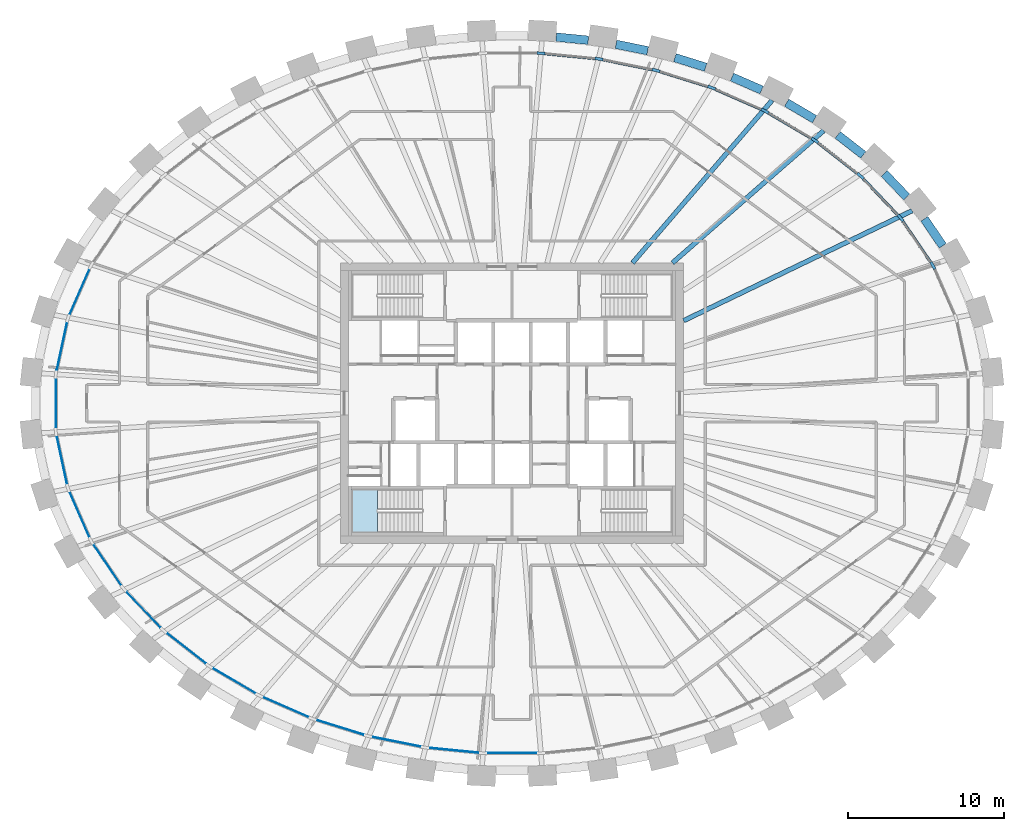
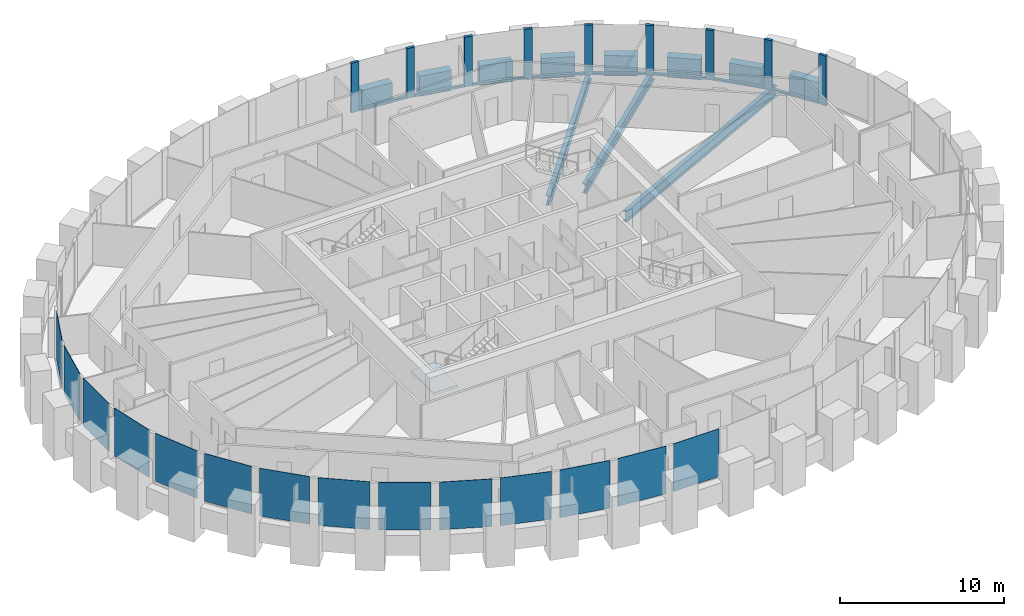
# One storey, part 4 of 12: 17 members, 14 plates, 11 beams, 1 slab, 2 elements without a shape of their own.
"""IFC4 building model written with IfcOpenShell, lengths in metres."""

import ifcopenshell
import ifcopenshell.guid

model = None  # the IFC model being written
_history = None  # IfcOwnerHistory: only IFC2X3 demands one
_inside = {}  # id of a spatial element -> (the spatial element, [elements in it])
_under = {}  # id of a project, library or spatial element -> (it, [spatial elements below it])
_declared = {}  # id of a project -> (the project, [libraries it declares])
_typed = {}  # id of a type object -> (the type object, [elements of that type])
_made_of = {}  # id of a material, layer set ... -> (it, [elements and type objects made of it])


def new_model(schema):
    """Start an empty IFC model of exactly this schema.

    Asked for "IFC4X3", IfcOpenShell would pick the latest addendum, in which some entities
    have other attributes; the version numbers below select the first issue.
    IFC2X3 requires an IfcOwnerHistory on every rooted entity: one is made here for all.
    """
    global model, _history
    if schema == "IFC4X3":
        model = ifcopenshell.file(schema_version=(4, 3, 0, 0))
    else:
        model = ifcopenshell.file(schema=schema)
    _inside.clear()
    _under.clear()
    _declared.clear()
    _typed.clear()
    _made_of.clear()
    _history = None
    if model.schema == "IFC2X3":
        org = make("IfcOrganization", Name="unknown")
        user = make(
            "IfcPersonAndOrganization",
            ThePerson=make("IfcPerson", FamilyName="unknown"),
            TheOrganization=org,
        )
        app = make(
            "IfcApplication",
            ApplicationDeveloper=org,
            Version="unknown",
            ApplicationFullName="unknown",
            ApplicationIdentifier="unknown",
        )
        _history = make(
            "IfcOwnerHistory",
            OwningUser=user,
            OwningApplication=app,
            ChangeAction="ADDED",
            CreationDate=0,
        )
    return model


def make(cls, **values):
    """One entity of the class cls with the attributes given. An attribute that is None is left unset."""
    return model.create_entity(
        cls, **{name: value for name, value in values.items() if value is not None}
    )


def rooted(cls, **values):
    """An entity with a GlobalId (a new one), such as an element, a storey or a relation."""
    return make(cls, GlobalId=ifcopenshell.guid.new(), OwnerHistory=_history, **values)


def si_unit(unit_type, name, prefix=None):
    """IfcSIUnit, for example si_unit("LENGTHUNIT", "METRE", prefix="MILLI")."""
    return make("IfcSIUnit", UnitType=unit_type, Prefix=prefix, Name=name)


def assignment(units):
    """IfcUnitAssignment: the units of a project."""
    return None if units is None else make("IfcUnitAssignment", Units=units)


def point(xyz):
    """IfcCartesianPoint."""
    return None if xyz is None else make("IfcCartesianPoint", Coordinates=xyz)


def direction(xyz):
    """IfcDirection."""
    return None if xyz is None else make("IfcDirection", DirectionRatios=xyz)


def frame(location, z_axis=None, x_axis=None):
    """IfcAxis2Placement3D, a coordinate frame: its origin and axes. An axis left out is left unset."""
    return make(
        "IfcAxis2Placement3D",
        Location=point(location),
        Axis=direction(z_axis),
        RefDirection=direction(x_axis),
    )


def frame_2d(location, x_axis=None):
    """IfcAxis2Placement2D, a coordinate frame in the plane: its origin and x axis."""
    return make(
        "IfcAxis2Placement2D", Location=point(location), RefDirection=direction(x_axis)
    )


def origin():
    """The frame at (0, 0, 0) with its axes left unset."""
    return frame((0.0, 0.0, 0.0))


def origin_2d():
    """The frame at (0, 0) in the plane with its x axis left unset."""
    return frame_2d((0.0, 0.0))


def place(relative_to, where):
    """IfcLocalPlacement: puts the frame where relative to a parent placement (None: the world)."""
    return make(
        "IfcLocalPlacement", PlacementRelTo=relative_to, RelativePlacement=where
    )


def context(
    kind, dimensions, precision=None, world=None, true_north=None, identifier=None
):
    """IfcGeometricRepresentationContext, for example the 3D "Model" context."""
    return make(
        "IfcGeometricRepresentationContext",
        ContextIdentifier=identifier,
        ContextType=kind,
        CoordinateSpaceDimension=dimensions,
        Precision=precision,
        WorldCoordinateSystem=world,
        TrueNorth=true_north,
    )


def subcontext(parent, identifier, kind, view, scale=None):
    """IfcGeometricRepresentationSubContext, for example "Body" below "Model"."""
    return make(
        "IfcGeometricRepresentationSubContext",
        ContextIdentifier=identifier,
        ContextType=kind,
        ParentContext=parent,
        TargetScale=scale,
        TargetView=view,
    )


def project(units=None, contexts=None):
    """IfcProject with its units and contexts."""
    return rooted(
        "IfcProject",
        Name="project",
        RepresentationContexts=contexts,
        UnitsInContext=assignment(units),
    )


def spatial(cls, under=None, at=None, **own):
    """A site, building, storey or space (cls), placed at a placement, below another one or the project."""
    s = rooted(cls, ObjectPlacement=at, **own)
    if under is not None:
        _under.setdefault(under.id(), (under, []))[1].append(s)
    return s


def polyline(points):
    """IfcPolyline through the points."""
    return make("IfcPolyline", Points=[point(p) for p in points])


def profile(cls, at=None, kind="AREA", **sizes):
    """A parametric profile (cls). Its sizes go by their IFC names, for example OverallWidth=200.0."""
    return make(cls, ProfileType=kind, Position=at, **sizes)


def rectangle(**sizes):
    """IfcRectangleProfileDef."""
    return profile("IfcRectangleProfileDef", **sizes)


def i_section(**sizes):
    """IfcIShapeProfileDef."""
    return profile("IfcIShapeProfileDef", **sizes)


def outline(outer, holes=None, kind="AREA"):
    """IfcArbitraryClosedProfileDef: a profile drawn as a closed curve; with holes, ...WithVoids."""
    if holes is None:
        return make("IfcArbitraryClosedProfileDef", ProfileType=kind, OuterCurve=outer)
    return make(
        "IfcArbitraryProfileDefWithVoids",
        ProfileType=kind,
        OuterCurve=outer,
        InnerCurves=holes,
    )


def extrude(swept, where, along, depth):
    """IfcExtrudedAreaSolid: the profile swept, set in the frame where, extruded along a direction by depth."""
    return make(
        "IfcExtrudedAreaSolid",
        SweptArea=swept,
        Position=where,
        ExtrudedDirection=direction(along),
        Depth=depth,
    )


def shape(context_of_items, identifier, shape_type, items):
    """IfcShapeRepresentation: the items that make up one representation, for example the "Body"."""
    return make(
        "IfcShapeRepresentation",
        ContextOfItems=context_of_items,
        RepresentationIdentifier=identifier,
        RepresentationType=shape_type,
        Items=items,
    )


def source(mapping_origin, context_of_items, identifier, shape_type, items):
    """IfcRepresentationMap: a shape defined once, which mapped items show again and again."""
    return make(
        "IfcRepresentationMap",
        MappingOrigin=mapping_origin,
        MappedRepresentation=shape(context_of_items, identifier, shape_type, items),
    )


def transform(
    local_origin,
    x_axis=None,
    y_axis=None,
    z_axis=None,
    scale=None,
    scale2=None,
    scale3=None,
    uniform=True,
):
    """IfcCartesianTransformationOperator3D, or its non-uniform kind. x_axis, y_axis, z_axis: its Axis1, 2, 3."""
    if uniform:
        return make(
            "IfcCartesianTransformationOperator3D",
            Axis1=direction(x_axis),
            Axis2=direction(y_axis),
            LocalOrigin=point(local_origin),
            Scale=scale,
            Axis3=direction(z_axis),
        )
    return make(
        "IfcCartesianTransformationOperator3DnonUniform",
        Axis1=direction(x_axis),
        Axis2=direction(y_axis),
        LocalOrigin=point(local_origin),
        Scale=scale,
        Axis3=direction(z_axis),
        Scale2=scale2,
        Scale3=scale3,
    )


def mapped(mapping_source, mapping_target):
    """IfcMappedItem: shows the shape of a source again, moved by a transform."""
    return make(
        "IfcMappedItem", MappingSource=mapping_source, MappingTarget=mapping_target
    )


def material(Name=None, Category=None):
    """IfcMaterial."""
    return make("IfcMaterial", Name=Name, Category=Category)


def layer(
    of_material, thickness, ventilated=None, Name=None, Category=None, Priority=None
):
    """IfcMaterialLayer: one layer of a wall or slab, of a material (None: an air gap)."""
    return make(
        "IfcMaterialLayer",
        Material=of_material,
        LayerThickness=thickness,
        IsVentilated=ventilated,
        Name=Name,
        Category=Category,
        Priority=Priority,
    )


def layer_set(layers, Name=None):
    """IfcMaterialLayerSet."""
    return make("IfcMaterialLayerSet", MaterialLayers=layers, LayerSetName=Name)


def material_profile(
    of_material, cross_section, Name=None, Category=None, Priority=None
):
    """IfcMaterialProfile: a cross section and its material."""
    return make(
        "IfcMaterialProfile",
        Name=Name,
        Material=of_material,
        Profile=cross_section,
        Priority=Priority,
        Category=Category,
    )


def profile_set(profiles, Name=None, composite=None):
    """IfcMaterialProfileSet."""
    return make(
        "IfcMaterialProfileSet",
        Name=Name,
        MaterialProfiles=profiles,
        CompositeProfile=composite,
    )


def made_of(thing, what):
    """Note that an element or type object is made of a material, layer set ...; save() writes the relation."""
    if what is not None:
        _made_of.setdefault(what.id(), (what, []))[1].append(thing)
    return thing


def type_object(cls, material=None, **own):
    """A type object (cls), such as IfcWallType, which elements share."""
    return made_of(rooted(cls, **own), material)


def element(
    cls,
    number,
    at=None,
    inside=None,
    cuts=None,
    type_object=None,
    material=None,
    context=None,
    identifier="Body",
    shape_type=None,
    held_by="IfcProductDefinitionShape",
    body=None,
    shapes=None,
    **own,
):
    """One element of the class cls, such as IfcWall. Its Tag is "e" and its number.

    at: its placement. inside: the storey or other place that contains it. cuts: it is an
    opening in that element (IfcRelVoidsElement). A single representation is given by context,
    identifier, shape_type and body (its items); several are given by shapes. held_by: the class
    of the entity that holds the representations. save() writes the other relations.
    """
    e = rooted(cls, Tag="e%d" % number, ObjectPlacement=at, **own)
    if body is not None:
        shapes = [shape(context, identifier, shape_type, body)]
    if shapes is not None:
        e.Representation = make(held_by, Representations=shapes)
    if inside is not None:
        _inside.setdefault(inside.id(), (inside, []))[1].append(e)
    if cuts is not None:
        rooted(
            "IfcRelVoidsElement", RelatingBuildingElement=cuts, RelatedOpeningElement=e
        )
    if type_object is not None:
        _typed.setdefault(type_object.id(), (type_object, []))[1].append(e)
    return made_of(e, material)


def aggregate(whole, parts):
    """IfcRelAggregates: a whole, such as a stair, and the parts it consists of."""
    return rooted("IfcRelAggregates", RelatingObject=whole, RelatedObjects=parts)


def save(model, path):
    """Write the relations noted so far, then the file.

    IfcRelAggregates (storeys below a building ...), IfcRelContainedInSpatialStructure (elements
    in a storey), IfcRelDefinesByType, IfcRelAssociatesMaterial and IfcRelDeclares: one each for
    every whole, place, type object, material and project.
    """
    for whole, parts in _under.values():
        aggregate(whole, parts)
    for where, things in _inside.values():
        rooted(
            "IfcRelContainedInSpatialStructure",
            RelatedElements=things,
            RelatingStructure=where,
        )
    for kind, things in _typed.values():
        rooted("IfcRelDefinesByType", RelatedObjects=things, RelatingType=kind)
    for what, things in _made_of.values():
        rooted("IfcRelAssociatesMaterial", RelatedObjects=things, RelatingMaterial=what)
    for by, libraries in _declared.values():
        rooted("IfcRelDeclares", RelatingContext=by, RelatedDefinitions=libraries)
    model.write(path)


model = new_model("IFC4")

# Units and contexts
model_context = context("Model", 3, precision=1e-05, world=origin(), true_north=direction((0.0, 1.0)))
body_context = subcontext(model_context, "Body", "Model", "MODEL_VIEW")
ifc_project = project(units=[si_unit("LENGTHUNIT", "METRE"), si_unit("AREAUNIT", "SQUARE_METRE"), si_unit("VOLUMEUNIT", "CUBIC_METRE"), si_unit("PLANEANGLEUNIT", "RADIAN"), si_unit("MASSUNIT", "GRAM", prefix="KILO")], contexts=[model_context])

# Site, building, storey
site_placement = place(None, origin())
site = spatial("IfcSite", under=ifc_project, at=site_placement, CompositionType="ELEMENT")
building_placement = place(site_placement, origin())
building = spatial("IfcBuilding", under=site, at=building_placement, Name="Embergate Tower", CompositionType="ELEMENT")
storey_placement = place(building_placement, frame((0.0, 0.0, 301.300048828125)))
storey = spatial("IfcBuildingStorey", under=building, at=storey_placement, Name="L70", CompositionType="ELEMENT", Elevation=301.300048828125)

# Beams
ifc_material_1 = material(Name="Steel Q355B", Category="steel")
ifc_material_profile_1 = material_profile(ifc_material_1, i_section(OverallWidth=0.300048828125, OverallDepth=0.699951171875, WebThickness=0.012939453125, FlangeThickness=0.02392578125, FilletRadius=0.01806640625, at=origin_2d()), Name="HN 700x300x13x24")
ifc_profile_set_1 = profile_set([ifc_material_profile_1], Name="Steel Q355 grade B")
beam_type_1 = type_object("IfcBeamType", Name="Radial girder HN 700x300x13x24", PredefinedType="BEAM", material=ifc_profile_set_1)
shared_shape_1 = source(origin(), body_context, "Body", "SweptSolid", [
    extrude(i_section(OverallWidth=0.300048828125, OverallDepth=0.699951171875, WebThickness=0.012939453125, FlangeThickness=0.02392578125, FilletRadius=0.01806640625, at=origin_2d()), origin(), (0.0, 0.0, 1.0), 13.742431640625),
])
beam_1_placement = place(storey_placement, frame((16.681884765625, 19.426025390625, -0.550048828125), z_axis=(-0.651474345674, -0.758670664339, 0.0), x_axis=(0.758670664339, -0.651474345674, 0.0)))
element("IfcBeam", 1, at=beam_1_placement, inside=storey, type_object=beam_type_1, Name="GIR-L70-06", PredefinedType="BEAM", context=body_context, shape_type="MappedRepresentation", body=[
    mapped(shared_shape_1, transform((0.0, 0.0, 0.0))),
])
ifc_material_2 = material(Name="Concrete C50", Category="concrete")
ifc_material_profile_2 = material_profile(ifc_material_2, rectangle(XDim=0.550048828125, YDim=1.5, at=origin_2d()), Name="RC 550x1500")
ifc_profile_set_2 = profile_set([ifc_material_profile_2], Name="Concrete C50")
beam_type_2 = type_object("IfcBeamType", Name="Spandrel beam RC 550x1500 C50", PredefinedType="BEAM", material=ifc_profile_set_2)
shared_shape_2 = source(origin(), body_context, "Body", "SweptSolid", [
    extrude(rectangle(XDim=0.550048828125, YDim=1.5, at=origin_2d()), origin(), (0.0, 0.0, 1.0), 2.09033203125),
])
beam_2_placement = place(storey_placement, frame((27.618896484375, 10.093994140625, 0.0), z_axis=(-0.562009695033, 0.827130644269, 0.0), x_axis=(-0.827130644269, -0.562009695033, 0.0)))
element("IfcBeam", 2, at=beam_2_placement, inside=storey, type_object=beam_type_2, Name="SPN-L70-02", PredefinedType="BEAM", context=body_context, shape_type="MappedRepresentation", body=[
    mapped(shared_shape_2, transform((0.0, 0.0, 0.0))),
])
shared_shape_3 = source(origin(), body_context, "Body", "SweptSolid", [
    extrude(rectangle(XDim=0.550048828125, YDim=1.5, at=origin_2d()), origin(), (0.0, 0.0, 1.0), 2.08447265625),
])
beam_3_placement = place(storey_placement, frame((25.31298828125, 13.222900390625, 0.0), z_axis=(-0.690339235394, 0.72348582576, 0.0), x_axis=(-0.72348582576, -0.690339235394, 0.0)))
element("IfcBeam", 3, at=beam_3_placement, inside=storey, type_object=beam_type_2, Name="SPN-L70-03", PredefinedType="BEAM", context=body_context, shape_type="MappedRepresentation", body=[
    mapped(shared_shape_3, transform((0.0, 0.0, 0.0))),
])
shared_shape_4 = source(origin(), body_context, "Body", "SweptSolid", [
    extrude(rectangle(XDim=0.550048828125, YDim=1.5, at=origin_2d()), origin(), (0.0, 0.0, 1.0), 2.0791015625),
])
beam_4_placement = place(storey_placement, frame((22.527099609375, 15.925048828125, 0.0), z_axis=(-0.788383845435, 0.615183641084, 0.0), x_axis=(-0.615183641084, -0.788383845435, 0.0)))
element("IfcBeam", 4, at=beam_4_placement, inside=storey, type_object=beam_type_2, Name="SPN-L70-04", PredefinedType="BEAM", context=body_context, shape_type="MappedRepresentation", body=[
    mapped(shared_shape_4, transform((0.0, 0.0, 0.0))),
])
shared_shape_5 = source(origin(), body_context, "Body", "SweptSolid", [
    extrude(rectangle(XDim=0.550048828125, YDim=1.5, at=origin_2d()), origin(), (0.0, 0.0, 1.0), 2.074462890625),
])
beam_5_placement = place(storey_placement, frame((19.39892578125, 18.216064453125, 0.0), z_axis=(-0.861864620017, 0.507138419726, 0.0), x_axis=(-0.507138419726, -0.861864620017, 0.0)))
element("IfcBeam", 5, at=beam_5_placement, inside=storey, type_object=beam_type_2, Name="SPN-L70-05", PredefinedType="BEAM", context=body_context, shape_type="MappedRepresentation", body=[
    mapped(shared_shape_5, transform((0.0, 0.0, 0.0))),
])
shared_shape_6 = source(origin(), body_context, "Body", "SweptSolid", [
    extrude(rectangle(XDim=0.550048828125, YDim=1.5, at=origin_2d()), origin(), (0.0, 0.0, 1.0), 2.073486328125),
])
beam_6_placement = place(storey_placement, frame((16.008056640625, 20.0859375, 0.0), z_axis=(-0.91637608024, 0.400318472673, 0.0), x_axis=(-0.400318472673, -0.91637608024, 0.0)))
element("IfcBeam", 6, at=beam_6_placement, inside=storey, type_object=beam_type_2, Name="SPN-L70-06", PredefinedType="BEAM", context=body_context, shape_type="MappedRepresentation", body=[
    mapped(shared_shape_6, transform((0.0, 0.0, 0.0))),
])
shared_shape_7 = source(origin(), body_context, "Body", "SweptSolid", [
    extrude(rectangle(XDim=0.550048828125, YDim=1.5, at=origin_2d()), origin(), (0.0, 0.0, 1.0), 2.07080078125),
])
beam_7_placement = place(storey_placement, frame((12.422119140625, 21.544921875, 0.0), z_axis=(-0.954735561173, 0.297455892917, 0.0), x_axis=(-0.297455892917, -0.954735561173, 0.0)))
element("IfcBeam", 7, at=beam_7_placement, inside=storey, type_object=beam_type_2, Name="SPN-L70-07", PredefinedType="BEAM", context=body_context, shape_type="MappedRepresentation", body=[
    mapped(shared_shape_7, transform((0.0, 0.0, 0.0))),
])
shared_shape_8 = source(origin(), body_context, "Body", "SweptSolid", [
    extrude(rectangle(XDim=0.550048828125, YDim=1.5, at=origin_2d()), origin(), (0.0, 0.0, 1.0), 2.070556640625),
])
beam_8_placement = place(storey_placement, frame((8.700927734375, 22.60595703125, 0.0), z_axis=(-0.980398860457, 0.197023030165, 0.0), x_axis=(-0.197023030165, -0.980398860457, 0.0)))
element("IfcBeam", 8, at=beam_8_placement, inside=storey, type_object=beam_type_2, Name="SPN-L70-08", PredefinedType="BEAM", context=body_context, shape_type="MappedRepresentation", body=[
    mapped(shared_shape_8, transform((0.0, 0.0, 0.0))),
])
shared_shape_9 = source(origin(), body_context, "Body", "SweptSolid", [
    extrude(rectangle(XDim=0.550048828125, YDim=1.5, at=origin_2d()), origin(), (0.0, 0.0, 1.0), 2.06884765625),
])
beam_9_placement = place(storey_placement, frame((4.89111328125, 23.279052734375, 0.0), z_axis=(-0.995226952233, 0.097587466149, 0.0), x_axis=(-0.097587466149, -0.995226952233, 0.0)))
element("IfcBeam", 9, at=beam_9_placement, inside=storey, type_object=beam_type_2, Name="SPN-L70-09", PredefinedType="BEAM", context=body_context, shape_type="MappedRepresentation", body=[
    mapped(shared_shape_9, transform((0.0, 0.0, 0.0))),
])
ifc_material_profile_3 = material_profile(ifc_material_1, i_section(OverallWidth=0.300048828125, OverallDepth=0.800048828125, WebThickness=0.013916015625, FlangeThickness=0.02587890625, FilletRadius=0.028076171875, at=origin_2d()), Name="HN 800x300x14x26")
ifc_profile_set_3 = profile_set([ifc_material_profile_3], Name="Steel Q355 grade B")
beam_type_3 = type_object("IfcBeamType", Name="Radial girder HN 800x300x14x26", PredefinedType="BEAM", material=ifc_profile_set_3)
shared_shape_10 = source(origin(), body_context, "Body", "SweptSolid", [
    extrude(i_section(OverallWidth=0.300048828125, OverallDepth=0.800048828125, WebThickness=0.013916015625, FlangeThickness=0.02587890625, FilletRadius=0.028076171875, at=origin_2d()), origin(), (0.0, 0.0, 1.0), 16.268310546875),
])
beam_10_placement = place(storey_placement, frame((25.659912109375, 12.344970703125, -0.60009765625), z_axis=(-0.901133717561, -0.433541258791, 0.0), x_axis=(0.433541258791, -0.901133717561, 0.0)))
element("IfcBeam", 10, at=beam_10_placement, inside=storey, type_object=beam_type_3, Name="GIR-L70-03", PredefinedType="BEAM", context=body_context, shape_type="MappedRepresentation", body=[
    mapped(shared_shape_10, transform((0.0, 0.0, 0.0))),
])
shared_shape_11 = source(origin(), body_context, "Body", "SweptSolid", [
    extrude(i_section(OverallWidth=0.300048828125, OverallDepth=0.699951171875, WebThickness=0.012939453125, FlangeThickness=0.02392578125, FilletRadius=0.01806640625, at=origin_2d()), origin(), (0.0, 0.0, 1.0), 12.88330078125),
])
beam_11_placement = place(storey_placement, frame((19.989013671875, 17.48095703125, -0.550048828125), z_axis=(-0.752760969036, -0.658293949157, 0.0), x_axis=(0.658293949157, -0.752760969036, 0.0)))
element("IfcBeam", 11, at=beam_11_placement, inside=storey, type_object=beam_type_1, Name="GIR-L70-05", PredefinedType="BEAM", context=body_context, shape_type="MappedRepresentation", body=[
    mapped(shared_shape_11, transform((0.0, 0.0, 0.0))),
])

# Curtain wall, members, plates
ifc_material_3 = material(Name="Aluminium and glass", Category="aluminium")
curtain_wall_type = type_object("IfcCurtainWallType", Name="Recessed office glazing", PredefinedType="NOTDEFINED", material=ifc_material_3)
curtain_wall_placement = place(storey_placement, origin())
curtain_wall = element("IfcCurtainWall", 12, at=curtain_wall_placement, inside=storey, type_object=curtain_wall_type, Name="Recessed office glazing ring", ObjectType="RECESSED OFFICE GLAZING", PredefinedType="USERDEFINED")
ifc_material_4 = material(Name="Aluminium, thermally broken", Category="aluminium")
ifc_material_profile_4 = material_profile(ifc_material_4, rectangle(XDim=0.179931640625, YDim=0.52001953125, at=origin_2d()), Name="AL 520x180")
ifc_profile_set_4 = profile_set([ifc_material_profile_4], Name="Aluminium, thermally broken")
member_type_1 = type_object("IfcMemberType", Name="Office mullion", PredefinedType="MULLION", material=ifc_profile_set_4)
shared_shape_12 = source(origin(), body_context, "Body", "SweptSolid", [
    extrude(rectangle(XDim=0.179931640625, YDim=0.52001953125, at=origin_2d()), origin(), (0.0, 0.0, 1.0), 3.699951171875),
])
member_1_placement = place(storey_placement, frame((26.994140625, 8.824951171875, 0.0), z_axis=(0.0, 0.0, 1.0), x_axis=(-0.87499344622, -0.484134763338, 0.0)))
member_1 = element("IfcMember", 13, at=member_1_placement, type_object=member_type_1, Name="CW mullion 3", PredefinedType="MULLION", context=body_context, shape_type="MappedRepresentation", body=[
    mapped(shared_shape_12, transform((0.0, 0.0, 0.0))),
])
member_2_placement = place(storey_placement, frame((24.913330078125, 11.884765625, 0.0), z_axis=(0.0, 0.0, 1.0), x_axis=(-0.777863789852, -0.628432911643, 0.0)))
member_2 = element("IfcMember", 14, at=member_2_placement, type_object=member_type_1, Name="CW mullion 4", PredefinedType="MULLION", context=body_context, shape_type="MappedRepresentation", body=[
    mapped(shared_shape_12, transform((0.0, 0.0, 0.0))),
])
member_3_placement = place(storey_placement, frame((22.353759765625, 14.56884765625, 0.0), z_axis=(0.0, 0.0, 1.0), x_axis=(-0.671220065284, -0.741258135847, 0.0)))
member_3 = element("IfcMember", 15, at=member_3_placement, type_object=member_type_1, Name="CW mullion 5", PredefinedType="MULLION", context=body_context, shape_type="MappedRepresentation", body=[
    mapped(shared_shape_12, transform((0.0, 0.0, 0.0))),
])
member_4_placement = place(storey_placement, frame((19.42431640625, 16.855224609375, 0.0), z_axis=(0.0, 0.0, 1.0), x_axis=(-0.56221328843, -0.826992272221, 0.0)))
member_4 = element("IfcMember", 16, at=member_4_placement, type_object=member_type_1, Name="CW mullion 6", PredefinedType="MULLION", context=body_context, shape_type="MappedRepresentation", body=[
    mapped(shared_shape_12, transform((0.0, 0.0, 0.0))),
])
member_5_placement = place(storey_placement, frame((16.2158203125, 18.741455078125, 0.0), z_axis=(0.0, 0.0, 1.0), x_axis=(-0.454508271251, -0.890742516872, 0.0)))
member_5 = element("IfcMember", 17, at=member_5_placement, type_object=member_type_1, Name="CW mullion 7", PredefinedType="MULLION", context=body_context, shape_type="MappedRepresentation", body=[
    mapped(shared_shape_12, transform((0.0, 0.0, 0.0))),
])
member_6_placement = place(storey_placement, frame((12.801513671875, 20.234619140625, 0.0), z_axis=(0.0, 0.0, 1.0), x_axis=(-0.349501047589, -0.936935973124, 0.0)))
member_6 = element("IfcMember", 18, at=member_6_placement, type_object=member_type_1, Name="CW mullion 8", PredefinedType="MULLION", context=body_context, shape_type="MappedRepresentation", body=[
    mapped(shared_shape_12, transform((0.0, 0.0, 0.0))),
])
member_7_placement = place(storey_placement, frame((9.240478515625, 21.343505859375, 0.0), z_axis=(0.0, 0.0, 1.0), x_axis=(-0.24731188137, -0.968935928394, 0.0)))
member_7 = element("IfcMember", 19, at=member_7_placement, type_object=member_type_1, Name="CW mullion 9", PredefinedType="MULLION", context=body_context, shape_type="MappedRepresentation", body=[
    mapped(shared_shape_12, transform((0.0, 0.0, 0.0))),
])
member_8_placement = place(storey_placement, frame((5.581787109375, 22.0771484375, 0.0), z_axis=(0.0, 0.0, 1.0), x_axis=(-0.147412382818, -0.989075118174, 0.0)))
member_8 = element("IfcMember", 20, at=member_8_placement, type_object=member_type_1, Name="CW mullion 10", PredefinedType="MULLION", context=body_context, shape_type="MappedRepresentation", body=[
    mapped(shared_shape_12, transform((0.0, 0.0, 0.0))),
])
member_9_placement = place(storey_placement, frame((1.86669921875, 22.4423828125, 0.0), z_axis=(0.0, 0.0, 1.0), x_axis=(-0.048971796621, -0.998800161762, 0.0)))
member_9 = element("IfcMember", 21, at=member_9_placement, type_object=member_type_1, Name="CW mullion 11", PredefinedType="MULLION", context=body_context, shape_type="MappedRepresentation", body=[
    mapped(shared_shape_12, transform((0.0, 0.0, 0.0))),
])
ifc_material_profile_5 = material_profile(ifc_material_4, rectangle(XDim=0.179931640625, YDim=0.14990234375, at=origin_2d()), Name="AL 150x180")
ifc_profile_set_5 = profile_set([ifc_material_profile_5], Name="Aluminium, thermally broken")
member_type_2 = type_object("IfcMemberType", Name="Office sill transom", PredefinedType="USERDEFINED", material=ifc_profile_set_5)
shared_shape_13 = source(origin(), body_context, "Body", "SweptSolid", [
    extrude(rectangle(XDim=0.179931640625, YDim=0.14990234375, at=origin_2d()), origin(), (0.0, 0.0, 1.0), 3.180419921875),
])
member_10_placement = place(storey_placement, frame((26.847900390625, 9.039794921875, 0.074951171875), z_axis=(-0.562276427382, 0.826949345009, 0.0), x_axis=(-0.826949345009, -0.562276427382, 0.0)))
member_10 = element("IfcMember", 22, at=member_10_placement, type_object=member_type_2, Name="CW transom 3.1", ObjectType="TRANSOM", PredefinedType="USERDEFINED", context=body_context, shape_type="MappedRepresentation", body=[
    mapped(shared_shape_13, transform((0.0, 0.0, 0.0))),
])
shared_shape_14 = source(origin(), body_context, "Body", "SweptSolid", [
    extrude(rectangle(XDim=0.179931640625, YDim=0.14990234375, at=origin_2d()), origin(), (0.0, 0.0, 1.0), 3.188720703125),
])
member_11_placement = place(storey_placement, frame((24.73388671875, 12.072998046875, 0.074951171875), z_axis=(-0.690140615527, 0.723675293761, 0.0), x_axis=(-0.723675293761, -0.690140615527, 0.0)))
member_11 = element("IfcMember", 23, at=member_11_placement, type_object=member_type_2, Name="CW transom 4.1", ObjectType="TRANSOM", PredefinedType="USERDEFINED", context=body_context, shape_type="MappedRepresentation", body=[
    mapped(shared_shape_14, transform((0.0, 0.0, 0.0))),
])
shared_shape_15 = source(origin(), body_context, "Body", "SweptSolid", [
    extrude(rectangle(XDim=0.179931640625, YDim=0.14990234375, at=origin_2d()), origin(), (0.0, 0.0, 1.0), 3.196044921875),
])
member_12_placement = place(storey_placement, frame((22.148681640625, 14.728759765625, 0.074951171875), z_axis=(-0.788302228684, 0.615288222098, 0.0), x_axis=(-0.615288222098, -0.788302228684, 0.0)))
member_12 = element("IfcMember", 24, at=member_12_placement, type_object=member_type_2, Name="CW transom 5.1", ObjectType="TRANSOM", PredefinedType="USERDEFINED", context=body_context, shape_type="MappedRepresentation", body=[
    mapped(shared_shape_15, transform((0.0, 0.0, 0.0))),
])
shared_shape_16 = source(origin(), body_context, "Body", "SweptSolid", [
    extrude(rectangle(XDim=0.179931640625, YDim=0.14990234375, at=origin_2d()), origin(), (0.0, 0.0, 1.0), 3.201904296875),
])
member_13_placement = place(storey_placement, frame((19.2001953125, 16.98681640625, 0.074951171875), z_axis=(-0.862053756613, 0.506816851248, 0.0), x_axis=(-0.506816851248, -0.862053756613, 0.0)))
member_13 = element("IfcMember", 25, at=member_13_placement, type_object=member_type_2, Name="CW transom 6.1", ObjectType="TRANSOM", PredefinedType="USERDEFINED", context=body_context, shape_type="MappedRepresentation", body=[
    mapped(shared_shape_16, transform((0.0, 0.0, 0.0))),
])
shared_shape_17 = source(origin(), body_context, "Body", "SweptSolid", [
    extrude(rectangle(XDim=0.179931640625, YDim=0.14990234375, at=origin_2d()), origin(), (0.0, 0.0, 1.0), 3.206298828125),
])
member_14_placement = place(storey_placement, frame((15.9775390625, 18.845703125, 0.074951171875), z_axis=(-0.916225475643, 0.400663047688, 0.0), x_axis=(-0.400663047688, -0.916225475643, 0.0)))
member_14 = element("IfcMember", 26, at=member_14_placement, type_object=member_type_2, Name="CW transom 7.1", ObjectType="TRANSOM", PredefinedType="USERDEFINED", context=body_context, shape_type="MappedRepresentation", body=[
    mapped(shared_shape_17, transform((0.0, 0.0, 0.0))),
])
shared_shape_18 = source(origin(), body_context, "Body", "SweptSolid", [
    extrude(rectangle(XDim=0.179931640625, YDim=0.14990234375, at=origin_2d()), origin(), (0.0, 0.0, 1.0), 3.20947265625),
])
member_15_placement = place(storey_placement, frame((12.55322265625, 20.311767578125, 0.074951171875), z_axis=(-0.954765144534, 0.297360923431, 0.0), x_axis=(-0.297360923431, -0.954765144534, 0.0)))
member_15 = element("IfcMember", 27, at=member_15_placement, type_object=member_type_2, Name="CW transom 8.1", ObjectType="TRANSOM", PredefinedType="USERDEFINED", context=body_context, shape_type="MappedRepresentation", body=[
    mapped(shared_shape_18, transform((0.0, 0.0, 0.0))),
])
shared_shape_19 = source(origin(), body_context, "Body", "SweptSolid", [
    extrude(rectangle(XDim=0.179931640625, YDim=0.14990234375, at=origin_2d()), origin(), (0.0, 0.0, 1.0), 3.211669921875),
])
member_16_placement = place(storey_placement, frame((8.985595703125, 21.39453125, 0.074951171875), z_axis=(-0.980472347912, 0.196656998298, 0.0), x_axis=(-0.196656998298, -0.980472347912, 0.0)))
member_16 = element("IfcMember", 28, at=member_16_placement, type_object=member_type_2, Name="CW transom 9.1", ObjectType="TRANSOM", PredefinedType="USERDEFINED", context=body_context, shape_type="MappedRepresentation", body=[
    mapped(shared_shape_19, transform((0.0, 0.0, 0.0))),
])
shared_shape_20 = source(origin(), body_context, "Body", "SweptSolid", [
    extrude(rectangle(XDim=0.179931640625, YDim=0.14990234375, at=origin_2d()), origin(), (0.0, 0.0, 1.0), 3.212890625),
])
member_17_placement = place(storey_placement, frame((5.322998046875, 22.102783203125, 0.074951171875), z_axis=(-0.995206508067, 0.097795737641, 0.0), x_axis=(-0.097795737641, -0.995206508067, 0.0)))
member_17 = element("IfcMember", 29, at=member_17_placement, type_object=member_type_2, Name="CW transom 10.1", ObjectType="TRANSOM", PredefinedType="USERDEFINED", context=body_context, shape_type="MappedRepresentation", body=[
    mapped(shared_shape_20, transform((0.0, 0.0, 0.0))),
])
ifc_material_5 = material(Name="Triple glazing, low-emissivity coating", Category="glass")
ifc_layer_1 = layer(ifc_material_5, 0.035888671875)
ifc_layer_set_1 = layer_set([ifc_layer_1], Name="Triple glazing, low-emissivity coating")
plate_type = type_object("IfcPlateType", Name="Office glazing unit", PredefinedType="CURTAIN_PANEL", material=ifc_layer_set_1)
shared_shape_21 = source(origin(), body_context, "Body", "SweptSolid", [
    extrude(rectangle(XDim=3.1650390625, YDim=0.035888671875, at=origin_2d()), origin(), (0.0, 0.0, 1.0), 3.550048828125),
])
plate_1_placement = place(storey_placement, frame((-28.86474609375, 3.642578125, 0.14990234375), z_axis=(0.0, 0.0, 1.0), x_axis=(-0.210398391177, -0.97761573074, 0.0)))
plate_1 = element("IfcPlate", 30, at=plate_1_placement, type_object=plate_type, Name="CW panel 21.1", PredefinedType="CURTAIN_PANEL", context=body_context, shape_type="MappedRepresentation", body=[
    mapped(shared_shape_21, transform((0.0, 0.0, 0.0))),
])
plate_2_placement = place(storey_placement, frame((-28.86474609375, -3.642578125, 0.14990234375), z_axis=(0.0, 0.0, 1.0), x_axis=(0.210398391177, -0.97761573074, 0.0)))
plate_2 = element("IfcPlate", 31, at=plate_2_placement, type_object=plate_type, Name="CW panel 23.1", PredefinedType="CURTAIN_PANEL", context=body_context, shape_type="MappedRepresentation", body=[
    mapped(shared_shape_21, transform((0.0, 0.0, 0.0))),
])
shared_shape_22 = source(origin(), body_context, "Body", "SweptSolid", [
    extrude(rectangle(XDim=3.171875, YDim=0.035888671875, at=origin_2d()), origin(), (0.0, 0.0, 1.0), 3.550048828125),
])
plate_3_placement = place(storey_placement, frame((-27.735595703125, 7.134521484375, 0.14990234375), z_axis=(0.0, 0.0, 1.0), x_axis=(-0.401652101157, -0.91579232888, 0.0)))
plate_3 = element("IfcPlate", 32, at=plate_3_placement, type_object=plate_type, Name="CW panel 20.1", PredefinedType="CURTAIN_PANEL", context=body_context, shape_type="MappedRepresentation", body=[
    mapped(shared_shape_22, transform((0.0, 0.0, 0.0))),
])
plate_4_placement = place(storey_placement, frame((-27.735595703125, -7.134521484375, 0.14990234375), z_axis=(0.0, 0.0, 1.0), x_axis=(0.401652101157, -0.91579232888, 0.0)))
plate_4 = element("IfcPlate", 33, at=plate_4_placement, type_object=plate_type, Name="CW panel 24.1", PredefinedType="CURTAIN_PANEL", context=body_context, shape_type="MappedRepresentation", body=[
    mapped(shared_shape_22, transform((0.0, 0.0, 0.0))),
])
shared_shape_23 = source(origin(), body_context, "Body", "SweptSolid", [
    extrude(rectangle(XDim=3.180419921875, YDim=0.035888671875, at=origin_2d()), origin(), (0.0, 0.0, 1.0), 3.550048828125),
])
plate_5_placement = place(storey_placement, frame((-25.95361328125, -10.354736328125, 0.14990234375), z_axis=(0.0, 0.0, 1.0), x_axis=(0.562341741915, -0.826904931234, 0.0)))
plate_5 = element("IfcPlate", 34, at=plate_5_placement, type_object=plate_type, Name="CW panel 25.1", PredefinedType="CURTAIN_PANEL", context=body_context, shape_type="MappedRepresentation", body=[
    mapped(shared_shape_23, transform((0.0, 0.0, 0.0))),
])
shared_shape_24 = source(origin(), body_context, "Body", "SweptSolid", [
    extrude(rectangle(XDim=3.188720703125, YDim=0.035888671875, at=origin_2d()), origin(), (0.0, 0.0, 1.0), 3.550048828125),
])
plate_6_placement = place(storey_placement, frame((-23.633544921875, -13.226806640625, 0.14990234375), z_axis=(0.0, 0.0, 1.0), x_axis=(0.6901325214, -0.723683012724, 0.0)))
plate_6 = element("IfcPlate", 35, at=plate_6_placement, type_object=plate_type, Name="CW panel 26.1", PredefinedType="CURTAIN_PANEL", context=body_context, shape_type="MappedRepresentation", body=[
    mapped(shared_shape_24, transform((0.0, 0.0, 0.0))),
])
shared_shape_25 = source(origin(), body_context, "Body", "SweptSolid", [
    extrude(rectangle(XDim=3.196044921875, YDim=0.035888671875, at=origin_2d()), origin(), (0.0, 0.0, 1.0), 3.550048828125),
])
plate_7_placement = place(storey_placement, frame((-20.888916015625, -15.7119140625, 0.14990234375), z_axis=(0.0, 0.0, 1.0), x_axis=(0.788317971569, -0.615268051911, 0.0)))
plate_7 = element("IfcPlate", 36, at=plate_7_placement, type_object=plate_type, Name="CW panel 27.1", PredefinedType="CURTAIN_PANEL", context=body_context, shape_type="MappedRepresentation", body=[
    mapped(shared_shape_25, transform((0.0, 0.0, 0.0))),
])
shared_shape_26 = source(origin(), body_context, "Body", "SweptSolid", [
    extrude(rectangle(XDim=3.201904296875, YDim=0.035888671875, at=origin_2d()), origin(), (0.0, 0.0, 1.0), 3.550048828125),
])
plate_8_placement = place(storey_placement, frame((-17.820068359375, -17.79833984375, 0.14990234375), z_axis=(0.0, 0.0, 1.0), x_axis=(0.862050514108, -0.506822366443, 0.0)))
plate_8 = element("IfcPlate", 37, at=plate_8_placement, type_object=plate_type, Name="CW panel 28.1", PredefinedType="CURTAIN_PANEL", context=body_context, shape_type="MappedRepresentation", body=[
    mapped(shared_shape_26, transform((0.0, 0.0, 0.0))),
])
shared_shape_27 = source(origin(), body_context, "Body", "SweptSolid", [
    extrude(rectangle(XDim=3.206298828125, YDim=0.035888671875, at=origin_2d()), origin(), (0.0, 0.0, 1.0), 3.550048828125),
])
plate_9_placement = place(storey_placement, frame((-14.508544921875, -19.488037109375, 0.14990234375), z_axis=(0.0, 0.0, 1.0), x_axis=(0.91623411399, -0.400643293168, 0.0)))
plate_9 = element("IfcPlate", 38, at=plate_9_placement, type_object=plate_type, Name="CW panel 29.1", PredefinedType="CURTAIN_PANEL", context=body_context, shape_type="MappedRepresentation", body=[
    mapped(shared_shape_27, transform((0.0, 0.0, 0.0))),
])
shared_shape_28 = source(origin(), body_context, "Body", "SweptSolid", [
    extrude(rectangle(XDim=3.209716796875, YDim=0.035888671875, at=origin_2d()), origin(), (0.0, 0.0, 1.0), 3.550048828125),
])
plate_10_placement = place(storey_placement, frame((-11.02099609375, -20.788818359375, 0.14990234375), z_axis=(0.0, 0.0, 1.0), x_axis=(0.954771179262, -0.297341546458, 0.0)))
plate_10 = element("IfcPlate", 39, at=plate_10_placement, type_object=plate_type, Name="CW panel 30.1", PredefinedType="CURTAIN_PANEL", context=body_context, shape_type="MappedRepresentation", body=[
    mapped(shared_shape_28, transform((0.0, 0.0, 0.0))),
])
shared_shape_29 = source(origin(), body_context, "Body", "SweptSolid", [
    extrude(rectangle(XDim=3.211669921875, YDim=0.035888671875, at=origin_2d()), origin(), (0.0, 0.0, 1.0), 3.550048828125),
])
plate_11_placement = place(storey_placement, frame((-7.4111328125, -21.710205078125, 0.14990234375), z_axis=(0.0, 0.0, 1.0), x_axis=(0.980475221003, -0.196642673395, 0.0)))
plate_11 = element("IfcPlate", 40, at=plate_11_placement, type_object=plate_type, Name="CW panel 31.1", PredefinedType="CURTAIN_PANEL", context=body_context, shape_type="MappedRepresentation", body=[
    mapped(shared_shape_29, transform((0.0, 0.0, 0.0))),
])
shared_shape_30 = source(origin(), body_context, "Body", "SweptSolid", [
    extrude(rectangle(XDim=3.212890625, YDim=0.035888671875, at=origin_2d()), origin(), (0.0, 0.0, 1.0), 3.550048828125),
])
plate_12_placement = place(storey_placement, frame((-3.72412109375, -22.259765625, 0.14990234375), z_axis=(0.0, 0.0, 1.0), x_axis=(0.995203014042, -0.097831287645, 0.0)))
plate_12 = element("IfcPlate", 41, at=plate_12_placement, type_object=plate_type, Name="CW panel 32.1", PredefinedType="CURTAIN_PANEL", context=body_context, shape_type="MappedRepresentation", body=[
    mapped(shared_shape_30, transform((0.0, 0.0, 0.0))),
])
shared_shape_31 = source(origin(), body_context, "Body", "SweptSolid", [
    extrude(rectangle(XDim=3.21337890625, YDim=0.035888671875, at=origin_2d()), origin(), (0.0, 0.0, 1.0), 3.550048828125),
])
plate_13_placement = place(storey_placement, frame((0.0, -22.4423828125, 0.14990234375), z_axis=(0.0, 0.0, 1.0), x_axis=(1.0, 0.0, 0.0)))
plate_13 = element("IfcPlate", 42, at=plate_13_placement, type_object=plate_type, Name="CW panel 33.1", PredefinedType="CURTAIN_PANEL", context=body_context, shape_type="MappedRepresentation", body=[
    mapped(shared_shape_31, transform((0.0, 0.0, 0.0))),
])
shared_shape_32 = source(origin(), body_context, "Body", "SweptSolid", [
    extrude(rectangle(XDim=3.16259765625, YDim=0.035888671875, at=origin_2d()), origin(), (0.0, 0.0, 1.0), 3.550048828125),
])
plate_14_placement = place(storey_placement, frame((-29.252197265625, 0.0, 0.14990234375), z_axis=(0.0, 0.0, 1.0), x_axis=(0.0, -1.0, 0.0)))
plate_14 = element("IfcPlate", 43, at=plate_14_placement, type_object=plate_type, Name="CW panel 22.1", PredefinedType="CURTAIN_PANEL", context=body_context, shape_type="MappedRepresentation", body=[
    mapped(shared_shape_32, transform((0.0, 0.0, 0.0))),
])
aggregate(curtain_wall, [member_1, member_2, member_3, member_4, member_5, member_6, member_7, member_8, member_9, member_10, member_11, member_12, member_13, member_14, member_15, member_16, member_17, plate_3, plate_1, plate_14, plate_2, plate_4, plate_5, plate_6, plate_7, plate_8, plate_9, plate_10, plate_11, plate_12, plate_13])

# Stair, slab
ifc_material_6 = material(Name="Exit stair")
stair_type = type_object("IfcStairType", Name="Exit stair", PredefinedType="HALF_TURN_STAIR", material=ifc_material_6)
stair_placement = place(storey_placement, origin())
stair = element("IfcStair", 44, at=stair_placement, inside=storey, type_object=stair_type, Name="L70 Exit stair 3", PredefinedType="HALF_TURN_STAIR")
ifc_material_7 = material(Name="Concrete C40", Category="concrete")
ifc_layer_2 = layer(ifc_material_7, 0.199951171875)
ifc_layer_set_2 = layer_set([ifc_layer_2], Name="Concrete C40")
slab_type = type_object("IfcSlabType", Name="Stair landing reinforced concrete", PredefinedType="LANDING", material=ifc_layer_set_2)
shared_shape_33 = source(origin(), body_context, "Body", "SweptSolid", [
    extrude(outline(polyline([(0.0, 0.0), (1.68994140625, 0.0), (1.68994140625, 2.800048828125), (0.0, 2.800048828125), (0.0, 0.0)])), origin(), (0.0, 0.0, 1.0), 0.199951171875),
])
slab_placement = place(storey_placement, frame((-10.300048828125, -8.300048828125, 1.75)))
slab = element("IfcSlab", 45, at=slab_placement, type_object=slab_type, Name="ST3 landing 1", PredefinedType="LANDING", context=body_context, shape_type="MappedRepresentation", body=[
    mapped(shared_shape_33, transform((0.0, 0.0, 0.0))),
])
aggregate(stair, [slab])

save(model, "model.ifc")
